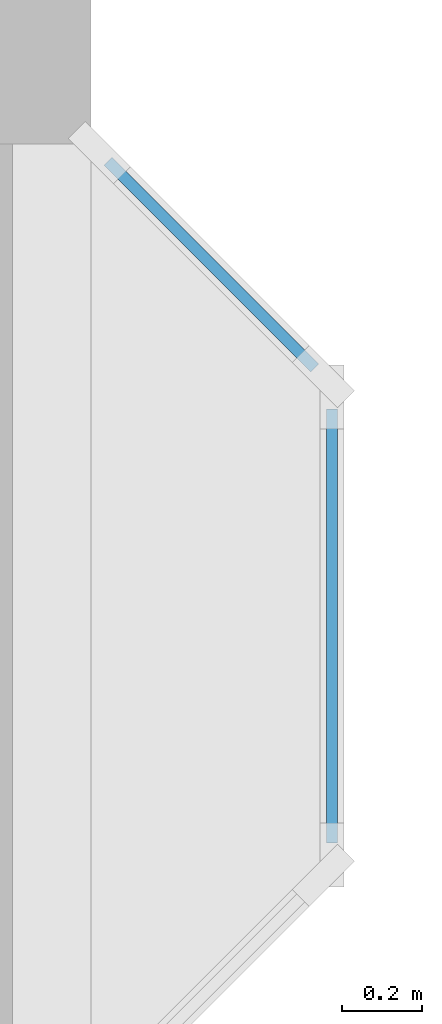
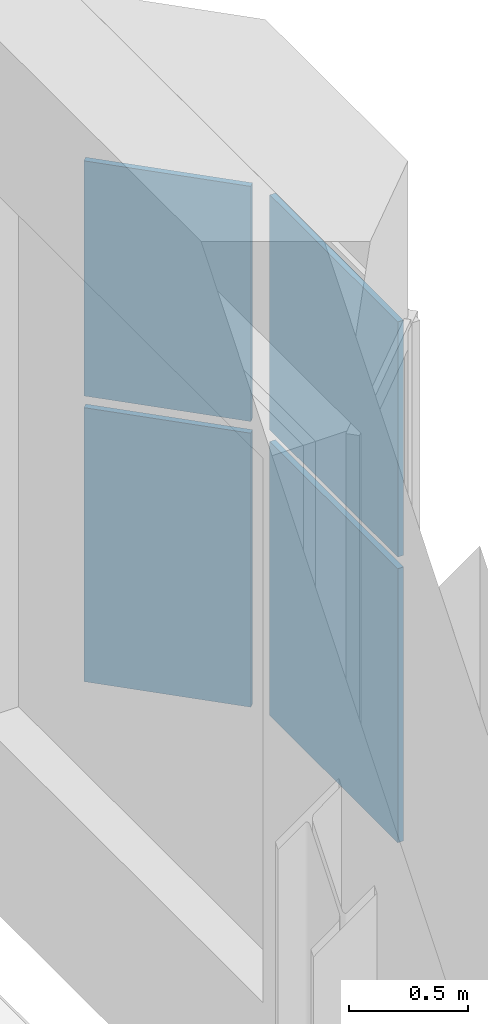
# One storey, part 34 of 74: 4 plates, 2 elements without a shape of their own.
"""IFC4 building model written with IfcOpenShell, lengths in metres."""

from ifc_helpers import new_model, si_unit, direction, frame, origin, origin_2d, place, context, subcontext, project, spatial, rectangle, extrude, material, layer, layer_set, type_object, element, aggregate, save


model = new_model("IFC4")

# Units and contexts
model_context = context("Model", 3, precision=1e-05, world=origin(), true_north=direction((0.0, 1.0)))
body_context = subcontext(model_context, "Body", "Model", "MODEL_VIEW")
ifc_project = project(units=[si_unit("LENGTHUNIT", "METRE"), si_unit("AREAUNIT", "SQUARE_METRE"), si_unit("VOLUMEUNIT", "CUBIC_METRE"), si_unit("PLANEANGLEUNIT", "RADIAN"), si_unit("MASSUNIT", "GRAM", prefix="KILO")], contexts=[model_context])

# Site, building, storey
site_placement = place(None, origin())
site = spatial("IfcSite", under=ifc_project, at=site_placement, CompositionType="ELEMENT")
building_placement = place(site_placement, origin())
building = spatial("IfcBuilding", under=site, at=building_placement, Name="Hortulan Conservatory and Botanical Research Centre", CompositionType="ELEMENT")
storey_placement = place(building_placement, frame((0.0, 0.0, 6.0)))
storey = spatial("IfcBuildingStorey", under=building, at=storey_placement, Name="L01", CompositionType="ELEMENT", Elevation=6.0)

# Curtain wall, plates
ifc_material_1 = material(Name="Bronze-finished aluminium", Category="aluminium")
ifc_layer_1 = layer(ifc_material_1, 0.10009765625)
ifc_layer_set_1 = layer_set([ifc_layer_1], Name="Oriel Curtain Wall 1350 module")
curtain_wall_type = type_object("IfcCurtainWallType", Name="Oriel Curtain Wall 1350 module", PredefinedType="NOTDEFINED", material=ifc_layer_set_1)
curtain_wall_1_placement = place(storey_placement, origin())
curtain_wall_1 = element("IfcCurtainWall", 1, at=curtain_wall_1_placement, inside=storey, type_object=curtain_wall_type, Name="Oriel glazing", PredefinedType="NOTDEFINED")
ifc_material_2 = material(Name="Low-e laminated glass", Category="glass")
ifc_layer_2 = layer(ifc_material_2, 0.028076171875)
ifc_layer_set_2 = layer_set([ifc_layer_2], Name="Laminated Glass Panel 28")
plate_type = type_object("IfcPlateType", Name="Laminated Glass Panel 28", PredefinedType="CURTAIN_PANEL", material=ifc_layer_set_2)
plate_1_placement = place(storey_placement, frame((32.550048828125, 57.14990234375, 0.9599609375), z_axis=(0.0, 0.0, 1.0), x_axis=(0.707106781187, -0.707106781187, 0.0)))
plate_1 = element("IfcPlate", 2, at=plate_1_placement, type_object=plate_type, Name="CW2 panel 1.1", PredefinedType="CURTAIN_PANEL", context=body_context, shape_type="SweptSolid", body=[
    extrude(rectangle(XDim=0.728515625, YDim=0.028076171875, at=origin_2d()), origin(), (0.0, 0.0, 1.0), 1.409912109375),
])
plate_2_placement = place(storey_placement, frame((32.550048828125, 57.14990234375, 2.429931640625), z_axis=(0.0, 0.0, 1.0), x_axis=(0.707106781187, -0.707106781187, 0.0)))
plate_2 = element("IfcPlate", 3, at=plate_2_placement, type_object=plate_type, Name="CW2 panel 1.2", PredefinedType="CURTAIN_PANEL", context=body_context, shape_type="SweptSolid", body=[
    extrude(rectangle(XDim=0.728515625, YDim=0.028076171875, at=origin_2d()), origin(), (0.0, 0.0, 1.0), 1.2099609375),
])
aggregate(curtain_wall_1, [plate_1, plate_2])

curtain_wall_2_placement = place(storey_placement, origin())
curtain_wall_2 = element("IfcCurtainWall", 4, at=curtain_wall_2_placement, inside=storey, type_object=curtain_wall_type, Name="Oriel glazing", PredefinedType="NOTDEFINED")
plate_3_placement = place(storey_placement, frame((32.85009765625, 56.25, 0.9599609375), z_axis=(0.0, 0.0, 1.0), x_axis=(0.0, -1.0, 0.0)))
plate_3 = element("IfcPlate", 5, at=plate_3_placement, type_object=plate_type, Name="CW2 panel 1.1", PredefinedType="CURTAIN_PANEL", context=body_context, shape_type="SweptSolid", body=[
    extrude(rectangle(XDim=1.080078125, YDim=0.028076171875, at=origin_2d()), origin(), (0.0, 0.0, 1.0), 1.409912109375),
])
plate_4_placement = place(storey_placement, frame((32.85009765625, 56.25, 2.429931640625), z_axis=(0.0, 0.0, 1.0), x_axis=(0.0, -1.0, 0.0)))
plate_4 = element("IfcPlate", 6, at=plate_4_placement, type_object=plate_type, Name="CW2 panel 1.2", PredefinedType="CURTAIN_PANEL", context=body_context, shape_type="SweptSolid", body=[
    extrude(rectangle(XDim=1.080078125, YDim=0.028076171875, at=origin_2d()), origin(), (0.0, 0.0, 1.0), 1.2099609375),
])
aggregate(curtain_wall_2, [plate_3, plate_4])

save(model, "model.ifc")
